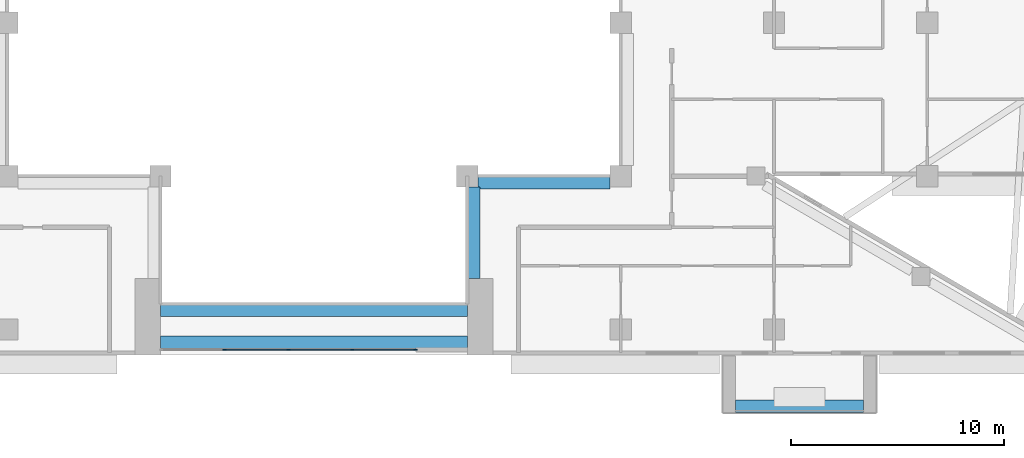
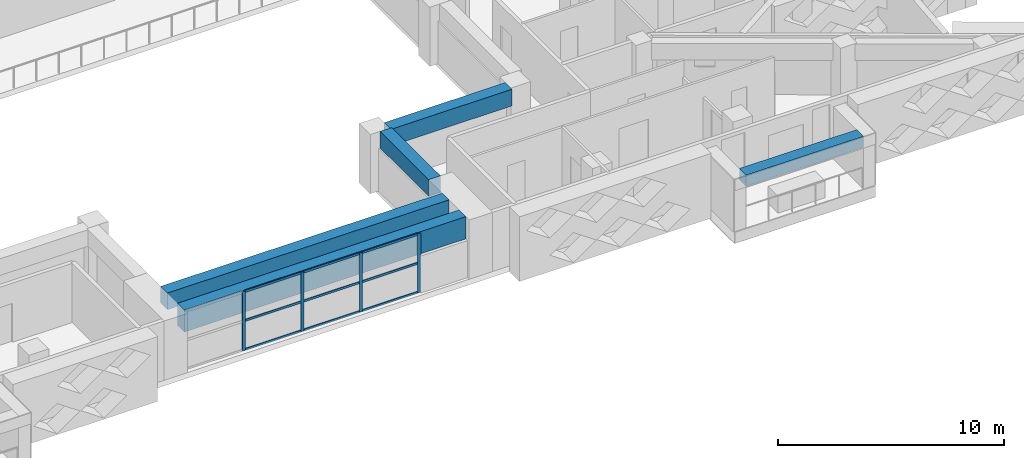
# One storey, part 4 of 20: 13 members, 5 beams, 1 element without a shape of its own.
"""IFC4 building model written with IfcOpenShell, lengths in metres."""

from ifc_helpers import new_model, si_unit, direction, frame, origin, origin_2d, place, context, subcontext, project, spatial, rectangle, extrude, source, transform, mapped, material, layer, layer_set, material_profile, profile_set, type_object, element, aggregate, save


model = new_model("IFC4")

# Units and contexts
model_context = context("Model", 3, precision=1e-05, world=origin(), true_north=direction((0.0, 1.0)))
body_context = subcontext(model_context, "Body", "Model", "MODEL_VIEW")
ifc_project = project(units=[si_unit("LENGTHUNIT", "METRE"), si_unit("AREAUNIT", "SQUARE_METRE"), si_unit("VOLUMEUNIT", "CUBIC_METRE"), si_unit("PLANEANGLEUNIT", "RADIAN"), si_unit("MASSUNIT", "GRAM", prefix="KILO")], contexts=[model_context])

# Site, building, storey
site_placement = place(None, origin())
site = spatial("IfcSite", under=ifc_project, at=site_placement, CompositionType="ELEMENT")
building_placement = place(site_placement, origin())
building = spatial("IfcBuilding", under=site, at=building_placement, Name="Saffron Iwan Residences", CompositionType="ELEMENT")
storey_placement = place(building_placement, frame((0.0, 0.0, 146.5)))
storey = spatial("IfcBuildingStorey", under=building, at=storey_placement, Name="L38", CompositionType="ELEMENT", Elevation=146.5)

# Beams
ifc_material_1 = material(Name="Concrete C50/60", Category="concrete")
ifc_material_profile_1 = material_profile(ifc_material_1, rectangle(XDim=0.60009765625, YDim=1.199951171875, at=origin_2d()), Name="RC 600x1200")
ifc_profile_set_1 = profile_set([ifc_material_profile_1], Name="Concrete C50/60")
beam_type_1 = type_object("IfcBeamType", Name="LINTEL BEAM RC 600x1200 C50/60 TOP 3200", PredefinedType="LINTEL", material=ifc_profile_set_1)
shared_shape_1 = source(origin(), body_context, "Body", "SweptSolid", [
    extrude(rectangle(XDim=0.60009765625, YDim=1.199951171875, at=origin_2d()), origin(), (0.0, 0.0, 1.0), 14.400146484375),
])
beam_1_placement = place(storey_placement, frame((57.60009765625, 40.199951171875, 2.60009765625), z_axis=(-1.0, 0.0, 0.0), x_axis=(0.0, -1.0, 0.0)))
element("IfcBeam", 1, at=beam_1_placement, inside=storey, type_object=beam_type_1, Name="Lintel beam over the iwan", PredefinedType="LINTEL", context=body_context, shape_type="MappedRepresentation", body=[
    mapped(shared_shape_1, transform((0.0, 0.0, 0.0))),
])
ifc_material_profile_2 = material_profile(ifc_material_1, rectangle(XDim=0.60009765625, YDim=0.89990234375, at=origin_2d()), Name="RC 600x900")
ifc_profile_set_2 = profile_set([ifc_material_profile_2], Name="Concrete C50/60")
beam_type_2 = type_object("IfcBeamType", Name="BEAM RC 600x900 C50/60 TOP 3200", PredefinedType="BEAM", material=ifc_profile_set_2)
shared_shape_2 = source(origin(), body_context, "Body", "SweptSolid", [
    extrude(rectangle(XDim=0.60009765625, YDim=0.89990234375, at=origin_2d()), origin(), (0.0, 0.0, 1.0), 14.400146484375),
])
beam_2_placement = place(storey_placement, frame((57.60009765625, 41.699951171875, 2.75), z_axis=(-1.0, 0.0, 0.0), x_axis=(0.0, -1.0, 0.0)))
element("IfcBeam", 2, at=beam_2_placement, inside=storey, type_object=beam_type_2, Name="Atrium edge beam", PredefinedType="BEAM", context=body_context, shape_type="MappedRepresentation", body=[
    mapped(shared_shape_2, transform((0.0, 0.0, 0.0))),
])
shared_shape_3 = source(origin(), body_context, "Body", "SweptSolid", [
    extrude(rectangle(XDim=0.60009765625, YDim=0.89990234375, at=origin_2d()), origin(), (0.0, 0.0, 1.0), 4.300048828125),
])
beam_3_placement = place(storey_placement, frame((57.89990234375, 47.5, 2.75), z_axis=(0.0, -1.0, 0.0), x_axis=(1.0, 0.0, 0.0)))
element("IfcBeam", 3, at=beam_3_placement, inside=storey, type_object=beam_type_2, Name="Atrium edge beam", PredefinedType="BEAM", context=body_context, shape_type="MappedRepresentation", body=[
    mapped(shared_shape_3, transform((0.0, 0.0, 0.0))),
])
shared_shape_4 = source(origin(), body_context, "Body", "SweptSolid", [
    extrude(rectangle(XDim=0.60009765625, YDim=0.89990234375, at=origin_2d()), origin(), (0.0, 0.0, 1.0), 6.199951171875),
])
beam_4_placement = place(storey_placement, frame((64.300048828125, 47.699951171875, 2.75), z_axis=(-1.0, 0.0, 0.0), x_axis=(0.0, -1.0, 0.0)))
element("IfcBeam", 4, at=beam_4_placement, inside=storey, type_object=beam_type_2, Name="Atrium edge beam", PredefinedType="BEAM", context=body_context, shape_type="MappedRepresentation", body=[
    mapped(shared_shape_4, transform((0.0, 0.0, 0.0))),
])

# Curtain wall, members
ifc_material_2 = material(Name="Clear glass, laminated double glazed", Category="glass")
ifc_layer = layer(ifc_material_2, 0.199951171875)
ifc_layer_set = layer_set([ifc_layer], Name="Clear glass, laminated double glazed")
curtain_wall_type = type_object("IfcCurtainWallType", Name="CW-B IWAN PORTAL", PredefinedType="NOTDEFINED", material=ifc_layer_set)
curtain_wall_placement = place(storey_placement, origin())
curtain_wall = element("IfcCurtainWall", 5, at=curtain_wall_placement, inside=storey, type_object=curtain_wall_type, Name="Iwan portal glazing L38.1", PredefinedType="NOTDEFINED")
ifc_material_3 = material(Name="Aluminium 6063-T6", Category="aluminium")
ifc_material_profile_3 = material_profile(ifc_material_3, rectangle(XDim=0.06005859375, YDim=0.1201171875, at=origin_2d()), Name="CW-B TRANSOM 60 x 120")
ifc_profile_set_3 = profile_set([ifc_material_profile_3], Name="Aluminium 6063-T6")
member_type_1 = type_object("IfcMemberType", Name="CW-B TRANSOM 60 x 120", PredefinedType="USERDEFINED", material=ifc_profile_set_3)
shared_shape_5 = source(origin(), body_context, "Body", "SweptSolid", [
    extrude(rectangle(XDim=0.06005859375, YDim=0.1201171875, at=origin_2d()), origin(), (0.0, 0.0, 1.0), 2.909912109375),
])
member_1_placement = place(storey_placement, frame((52.22998046875, 39.85009765625, 0.030029296875), z_axis=(1.0, 0.0, 0.0), x_axis=(0.0, 1.0, 0.0)))
member_1 = element("IfcMember", 6, at=member_1_placement, type_object=member_type_1, Name="CW-B transom 4.1", ObjectType="TRANSOM", PredefinedType="USERDEFINED", context=body_context, shape_type="MappedRepresentation", body=[
    mapped(shared_shape_5, transform((0.0, 0.0, 0.0))),
])
member_2_placement = place(storey_placement, frame((52.22998046875, 39.85009765625, 1.60009765625), z_axis=(1.0, 0.0, 0.0), x_axis=(0.0, 1.0, 0.0)))
member_2 = element("IfcMember", 7, at=member_2_placement, type_object=member_type_1, Name="CW-B transom 4.2", ObjectType="TRANSOM", PredefinedType="USERDEFINED", context=body_context, shape_type="MappedRepresentation", body=[
    mapped(shared_shape_5, transform((0.0, 0.0, 0.0))),
])
member_3_placement = place(storey_placement, frame((52.22998046875, 39.85009765625, 3.169921875), z_axis=(1.0, 0.0, 0.0), x_axis=(0.0, 1.0, 0.0)))
member_3 = element("IfcMember", 8, at=member_3_placement, type_object=member_type_1, Name="CW-B transom 4.3", ObjectType="TRANSOM", PredefinedType="USERDEFINED", context=body_context, shape_type="MappedRepresentation", body=[
    mapped(shared_shape_5, transform((0.0, 0.0, 0.0))),
])
shared_shape_6 = source(origin(), body_context, "Body", "SweptSolid", [
    extrude(rectangle(XDim=0.06005859375, YDim=0.1201171875, at=origin_2d()), origin(), (0.0, 0.0, 1.0), 2.93994140625),
])
member_4_placement = place(storey_placement, frame((46.22998046875, 39.85009765625, 0.030029296875), z_axis=(1.0, 0.0, 0.0), x_axis=(0.0, 1.0, 0.0)))
member_4 = element("IfcMember", 9, at=member_4_placement, type_object=member_type_1, Name="CW-B transom 2.1", ObjectType="TRANSOM", PredefinedType="USERDEFINED", context=body_context, shape_type="MappedRepresentation", body=[
    mapped(shared_shape_6, transform((0.0, 0.0, 0.0))),
])
member_5_placement = place(storey_placement, frame((46.22998046875, 39.85009765625, 1.60009765625), z_axis=(1.0, 0.0, 0.0), x_axis=(0.0, 1.0, 0.0)))
member_5 = element("IfcMember", 10, at=member_5_placement, type_object=member_type_1, Name="CW-B transom 2.2", ObjectType="TRANSOM", PredefinedType="USERDEFINED", context=body_context, shape_type="MappedRepresentation", body=[
    mapped(shared_shape_6, transform((0.0, 0.0, 0.0))),
])
member_6_placement = place(storey_placement, frame((46.22998046875, 39.85009765625, 3.169921875), z_axis=(1.0, 0.0, 0.0), x_axis=(0.0, 1.0, 0.0)))
member_6 = element("IfcMember", 11, at=member_6_placement, type_object=member_type_1, Name="CW-B transom 2.3", ObjectType="TRANSOM", PredefinedType="USERDEFINED", context=body_context, shape_type="MappedRepresentation", body=[
    mapped(shared_shape_6, transform((0.0, 0.0, 0.0))),
])
member_7_placement = place(storey_placement, frame((49.22998046875, 39.85009765625, 0.030029296875), z_axis=(1.0, 0.0, 0.0), x_axis=(0.0, 1.0, 0.0)))
member_7 = element("IfcMember", 12, at=member_7_placement, type_object=member_type_1, Name="CW-B transom 3.1", ObjectType="TRANSOM", PredefinedType="USERDEFINED", context=body_context, shape_type="MappedRepresentation", body=[
    mapped(shared_shape_6, transform((0.0, 0.0, 0.0))),
])
member_8_placement = place(storey_placement, frame((49.22998046875, 39.85009765625, 1.60009765625), z_axis=(1.0, 0.0, 0.0), x_axis=(0.0, 1.0, 0.0)))
member_8 = element("IfcMember", 13, at=member_8_placement, type_object=member_type_1, Name="CW-B transom 3.2", ObjectType="TRANSOM", PredefinedType="USERDEFINED", context=body_context, shape_type="MappedRepresentation", body=[
    mapped(shared_shape_6, transform((0.0, 0.0, 0.0))),
])
member_9_placement = place(storey_placement, frame((49.22998046875, 39.85009765625, 3.169921875), z_axis=(1.0, 0.0, 0.0), x_axis=(0.0, 1.0, 0.0)))
member_9 = element("IfcMember", 14, at=member_9_placement, type_object=member_type_1, Name="CW-B transom 3.3", ObjectType="TRANSOM", PredefinedType="USERDEFINED", context=body_context, shape_type="MappedRepresentation", body=[
    mapped(shared_shape_6, transform((0.0, 0.0, 0.0))),
])

# Beam
ifc_material_4 = material(Name="Concrete C50/60 white painted", Category="concrete")
ifc_material_profile_4 = material_profile(ifc_material_4, rectangle(XDim=0.60009765625, YDim=0.60009765625, at=origin_2d()), Name="BALCONY FASCIA BEAM 600 x 600")
ifc_profile_set_4 = profile_set([ifc_material_profile_4], Name="Concrete C50/60 white painted")
beam_type_3 = type_object("IfcBeamType", Name="BALCONY FASCIA BEAM 600 x 600", PredefinedType="BEAM", material=ifc_profile_set_4)
shared_shape_7 = source(origin(), body_context, "Body", "SweptSolid", [
    extrude(rectangle(XDim=0.60009765625, YDim=0.60009765625, at=origin_2d()), origin(), (0.0, 0.0, 1.0), 6.0),
])
beam_5_placement = place(storey_placement, frame((70.199951171875, 37.199951171875, 2.550048828125), z_axis=(1.0, 0.0, 0.0), x_axis=(0.0, 1.0, 0.0)))
element("IfcBeam", 15, at=beam_5_placement, inside=storey, type_object=beam_type_3, Name="Balcony fascia beam L38 11-1", PredefinedType="BEAM", context=body_context, shape_type="MappedRepresentation", body=[
    mapped(shared_shape_7, transform((0.0, 0.0, 0.0))),
])

# Member
ifc_material_profile_5 = material_profile(ifc_material_3, rectangle(XDim=0.06005859375, YDim=0.159912109375, at=origin_2d()), Name="CW-B MULLION 60 x 160")
ifc_profile_set_5 = profile_set([ifc_material_profile_5], Name="Aluminium 6063-T6")
member_type_2 = type_object("IfcMemberType", Name="CW-B MULLION 60 x 160", PredefinedType="MULLION", material=ifc_profile_set_5)
shared_shape_8 = source(origin(), body_context, "Body", "SweptSolid", [
    extrude(rectangle(XDim=0.06005859375, YDim=0.159912109375, at=origin_2d()), origin(), (0.0, 0.0, 1.0), 3.199951171875),
])
member_10_placement = place(storey_placement, frame((46.199951171875, 39.85009765625, 0.0), z_axis=(0.0, 0.0, 1.0), x_axis=(0.0, 1.0, 0.0)))
member_10 = element("IfcMember", 16, at=member_10_placement, type_object=member_type_2, Name="CW-B mullion 2", PredefinedType="MULLION", context=body_context, shape_type="MappedRepresentation", body=[
    mapped(shared_shape_8, transform((0.0, 0.0, 0.0))),
])

member_11_placement = place(storey_placement, frame((49.199951171875, 39.85009765625, 0.0), z_axis=(0.0, 0.0, 1.0), x_axis=(0.0, 1.0, 0.0)))
member_11 = element("IfcMember", 17, at=member_11_placement, type_object=member_type_2, Name="CW-B mullion 3", PredefinedType="MULLION", context=body_context, shape_type="MappedRepresentation", body=[
    mapped(shared_shape_8, transform((0.0, 0.0, 0.0))),
])

member_12_placement = place(storey_placement, frame((52.199951171875, 39.85009765625, 0.0), z_axis=(0.0, 0.0, 1.0), x_axis=(0.0, 1.0, 0.0)))
member_12 = element("IfcMember", 18, at=member_12_placement, type_object=member_type_2, Name="CW-B mullion 4", PredefinedType="MULLION", context=body_context, shape_type="MappedRepresentation", body=[
    mapped(shared_shape_8, transform((0.0, 0.0, 0.0))),
])

member_13_placement = place(storey_placement, frame((55.169921875, 39.85009765625, 0.0), z_axis=(0.0, 0.0, 1.0), x_axis=(0.0, 1.0, 0.0)))
member_13 = element("IfcMember", 19, at=member_13_placement, type_object=member_type_2, Name="CW-B mullion 5", PredefinedType="MULLION", context=body_context, shape_type="MappedRepresentation", body=[
    mapped(shared_shape_8, transform((0.0, 0.0, 0.0))),
])

aggregate(curtain_wall, [member_10, member_11, member_12, member_13, member_4, member_5, member_6, member_7, member_8, member_9, member_1, member_2, member_3])

save(model, "model.ifc")
